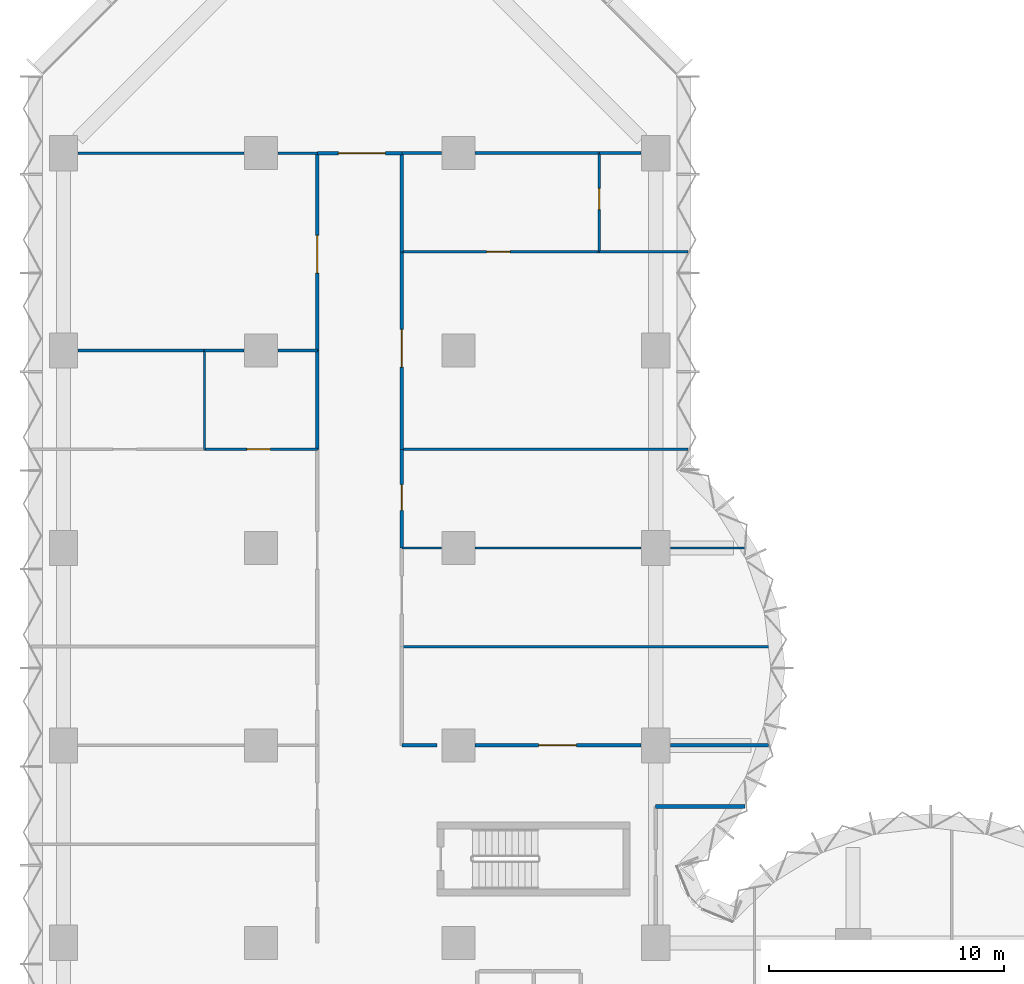
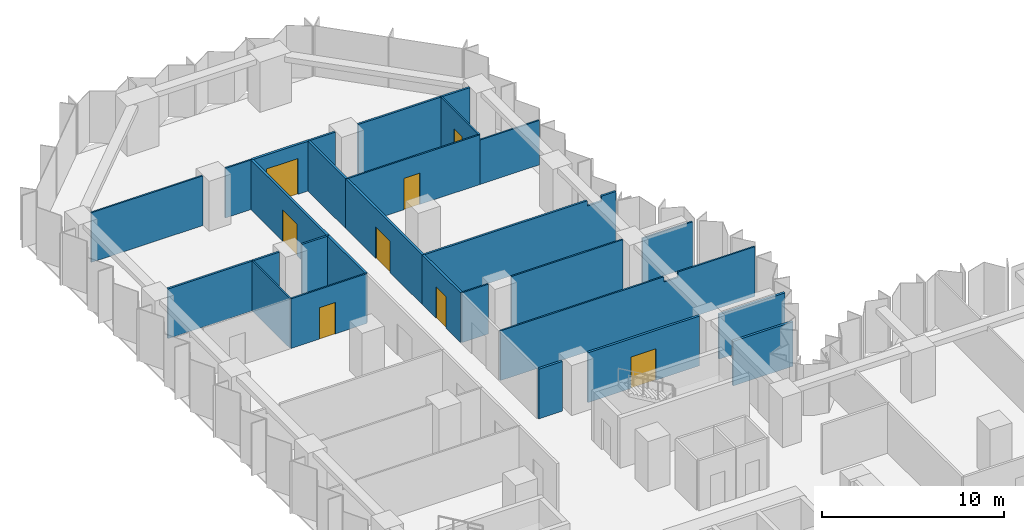
# One storey, part 11 of 15: 28 walls, 8 doors, 8 openings.
"""IFC4 building model written with IfcOpenShell, lengths in metres."""

from ifc_helpers import new_model, si_unit, direction, frame, frame_2d, origin, place, context, subcontext, project, spatial, polyline, rectangle, outline, extrude, material, layer, layer_set, type_object, element, fill, save


model = new_model("IFC4")

# Units and contexts
model_context = context("Model", 3, precision=1e-05, world=origin(), true_north=direction((0.0, 1.0)))
body_context = subcontext(model_context, "Body", "Model", "MODEL_VIEW")
ifc_project = project(units=[si_unit("LENGTHUNIT", "METRE"), si_unit("AREAUNIT", "SQUARE_METRE"), si_unit("VOLUMEUNIT", "CUBIC_METRE"), si_unit("PLANEANGLEUNIT", "RADIAN"), si_unit("MASSUNIT", "GRAM", prefix="KILO")], contexts=[model_context])

# Site, building, storey
site_placement = place(None, origin())
site = spatial("IfcSite", under=ifc_project, at=site_placement, CompositionType="ELEMENT")
building_placement = place(site_placement, origin())
building = spatial("IfcBuilding", under=site, at=building_placement, Name="Brevane Broadcast Tower", CompositionType="ELEMENT")
storey_placement = place(building_placement, frame((0.0, 0.0, 54.5)))
storey = spatial("IfcBuildingStorey", under=building, at=storey_placement, Name="L11", CompositionType="ELEMENT", Elevation=54.5)

# Walls
ifc_material_1 = material(Name="Gypsum board partition")
ifc_layer_1 = layer(ifc_material_1, 0.10009765625)
ifc_layer_set_1 = layer_set([ifc_layer_1], Name="PARTITION 100 STUD")
wall_type_1 = type_object("IfcWallType", Name="PARTITION 100 STUD", PredefinedType="PARTITIONING", material=ifc_layer_set_1)
wall_1_placement = place(storey_placement, frame((10.800048828125, 58.800048828125, 0.0), z_axis=(0.0, 0.0, 1.0), x_axis=(-1.0, 0.0, 0.0)))
element("IfcWall", 1, at=wall_1_placement, inside=storey, type_object=wall_type_1, Name="Partition G02-050", PredefinedType="PARTITIONING", context=body_context, shape_type="SweptSolid", body=[
    extrude(rectangle(XDim=1.679931640625, YDim=0.10009765625, at=frame_2d((0.83984375, 0.0))), origin(), (0.0, 0.0, 1.0), 3.330078125),
])
wall_2_placement = place(storey_placement, frame((7.679931640625, 58.800048828125, 0.0), z_axis=(0.0, 0.0, 1.0), x_axis=(-1.0, 0.0, 0.0)))
element("IfcWall", 2, at=wall_2_placement, inside=storey, type_object=wall_type_1, Name="Partition G02-051", PredefinedType="PARTITIONING", context=body_context, shape_type="SweptSolid", body=[
    extrude(rectangle(XDim=7.059814453125, YDim=0.10009765625, at=frame_2d((3.52978515625, 0.0))), origin(), (0.0, 0.0, 1.0), 3.330078125),
])

# Wall, opening, door
wall_3_placement = place(storey_placement, frame((6.0, 46.199951171875, 0.0), z_axis=(0.0, 0.0, 1.0), x_axis=(1.0, 0.0, 0.0)))
wall_3 = element("IfcWall", 3, at=wall_3_placement, inside=storey, type_object=wall_type_1, Name="Partition G02-060", PredefinedType="PARTITIONING", context=body_context, shape_type="SweptSolid", body=[
    extrude(rectangle(XDim=4.800048828125, YDim=0.10009765625, at=frame_2d((2.39990234375, 0.0))), origin(), (0.0, 0.0, 1.0), 3.330078125),
])
opening_1_placement = place(wall_3_placement, frame((1.800048828125, 0.0, 0.0)))
opening_1 = element("IfcOpeningElement", 4, at=opening_1_placement, cuts=wall_3, Name="Opening D08-021", PredefinedType="OPENING", context=body_context, shape_type="SweptSolid", body=[
    extrude(rectangle(XDim=1.0, YDim=2.10009765625, at=frame_2d((0.5, 1.050048828125))), frame((0.0, 0.06005859375, 0.0), z_axis=(0.0, -1.0, 0.0), x_axis=(1.0, 0.0, 0.0)), (0.0, 0.0, 1.0), 0.1201171875),
])
ifc_material_2 = material(Name="Timber door leaf", Category="wood")
door_type_1 = type_object("IfcDoorType", Name="DOOR SINGLE 1000 INTERNAL", OperationType="SINGLE_SWING_LEFT", PredefinedType="DOOR", material=ifc_material_2)
door_1_placement = place(opening_1_placement, origin())
door_1 = element("IfcDoor", 5, at=door_1_placement, inside=storey, type_object=door_type_1, Name="Door D08-021", OperationType="SINGLE_SWING_LEFT", OverallHeight=2.10009765625, OverallWidth=1.0, PredefinedType="DOOR", context=body_context, shape_type="SweptSolid", body=[
    extrude(rectangle(XDim=1.0, YDim=2.10009765625, at=frame_2d((0.5, 1.050048828125))), frame((0.0, 0.02490234375, 0.0), z_axis=(0.0, -1.0, 0.0), x_axis=(1.0, 0.0, 0.0)), (0.0, 0.0, 1.0), 0.050048828125),
])
fill(opening_1, door_1)

# Walls
wall_4_placement = place(storey_placement, frame((6.0, 50.39990234375, 0.0), z_axis=(0.0, 0.0, 1.0), x_axis=(0.0, -1.0, 0.0)))
element("IfcWall", 6, at=wall_4_placement, inside=storey, type_object=wall_type_1, Name="Partition G02-061", PredefinedType="PARTITIONING", context=body_context, shape_type="SweptSolid", body=[
    extrude(rectangle(XDim=4.199951171875, YDim=0.10009765625, at=frame_2d((2.10009765625, 0.0))), origin(), (0.0, 0.0, 1.0), 3.330078125),
])
wall_5_placement = place(storey_placement, frame((14.39990234375, 37.800048828125, 0.0), z_axis=(0.0, 0.0, 1.0), x_axis=(1.0, 0.0, 0.0)))
element("IfcWall", 7, at=wall_5_placement, inside=storey, type_object=wall_type_1, Name="Partition G02-065", PredefinedType="PARTITIONING", context=body_context, shape_type="SweptSolid", body=[
    extrude(outline(polyline([(0.0, 0.0), (16.1259765625, 0.0), (16.1259765625, 3.330078125), (15.8427734375, 3.330078125), (11.25, 3.330078125), (11.248046875, 2.97998046875), (10.35205078125, 2.97998046875), (10.35009765625, 3.330078125), (0.0, 3.330078125), (0.0, 0.0)])), frame((0.0, 0.050048828125, 0.0), z_axis=(0.0, -1.0, 0.0), x_axis=(1.0, 0.0, 0.0)), (0.0, 0.0, 1.0), 0.10009765625),
])
wall_6_placement = place(storey_placement, frame((14.39990234375, 42.0, 0.0), z_axis=(0.0, 0.0, 1.0), x_axis=(1.0, 0.0, 0.0)))
element("IfcWall", 8, at=wall_6_placement, inside=storey, type_object=wall_type_1, Name="Partition G02-066", PredefinedType="PARTITIONING", context=body_context, shape_type="SweptSolid", body=[
    extrude(rectangle(XDim=1.68017578125, YDim=0.10009765625, at=frame_2d((0.840087890625, 0.0))), origin(), (0.0, 0.0, 1.0), 3.330078125),
])
wall_7_placement = place(storey_placement, frame((17.52001953125, 42.0, 0.0), z_axis=(0.0, 0.0, 1.0), x_axis=(1.0, 0.0, 0.0)))
element("IfcWall", 9, at=wall_7_placement, inside=storey, type_object=wall_type_1, Name="Partition G02-067", PredefinedType="PARTITIONING", context=body_context, shape_type="SweptSolid", body=[
    extrude(rectangle(XDim=7.06005859375, YDim=0.10009765625, at=frame_2d((3.530029296875, 0.0))), origin(), (0.0, 0.0, 1.0), 3.330078125),
])
wall_8_placement = place(storey_placement, frame((25.820068359375, 42.0, 0.0), z_axis=(0.0, 0.0, 1.0), x_axis=(1.0, 0.0, 0.0)))
element("IfcWall", 10, at=wall_8_placement, inside=storey, type_object=wall_type_1, Name="Partition G02-068", PredefinedType="PARTITIONING", context=body_context, shape_type="SweptSolid", body=[
    extrude(rectangle(XDim=3.19140625, YDim=0.10009765625, at=frame_2d((1.595703125, 0.0))), origin(), (0.0, 0.0, 1.0), 2.97998046875),
])

# Wall, opening, door
wall_9_placement = place(storey_placement, frame((14.39990234375, 54.60009765625, 0.0), z_axis=(0.0, 0.0, 1.0), x_axis=(1.0, 0.0, 0.0)))
wall_9 = element("IfcWall", 11, at=wall_9_placement, inside=storey, type_object=wall_type_1, Name="Partition G02-070", PredefinedType="PARTITIONING", context=body_context, shape_type="SweptSolid", body=[
    extrude(rectangle(XDim=8.400146484375, YDim=0.10009765625, at=frame_2d((4.2001953125, 0.0))), origin(), (0.0, 0.0, 1.0), 3.330078125),
])
opening_2_placement = place(wall_9_placement, frame((3.60009765625, 0.0, 0.0)))
opening_2 = element("IfcOpeningElement", 12, at=opening_2_placement, cuts=wall_9, Name="Opening D08-027", PredefinedType="OPENING", context=body_context, shape_type="SweptSolid", body=[
    extrude(rectangle(XDim=1.0, YDim=2.10009765625, at=frame_2d((0.5, 1.050048828125))), frame((0.0, 0.06005859375, 0.0), z_axis=(0.0, -1.0, 0.0), x_axis=(1.0, 0.0, 0.0)), (0.0, 0.0, 1.0), 0.1201171875),
])
door_2_placement = place(opening_2_placement, origin())
door_2 = element("IfcDoor", 13, at=door_2_placement, inside=storey, type_object=door_type_1, Name="Door D08-027", OperationType="SINGLE_SWING_LEFT", OverallHeight=2.10009765625, OverallWidth=1.0, PredefinedType="DOOR", context=body_context, shape_type="SweptSolid", body=[
    extrude(rectangle(XDim=1.0, YDim=2.10009765625, at=frame_2d((0.5, 1.050048828125))), frame((0.0, 0.02490234375, 0.0), z_axis=(0.0, -1.0, 0.0), x_axis=(1.0, 0.0, 0.0)), (0.0, 0.0, 1.0), 0.050048828125),
])
fill(opening_2, door_2)

# Wall
wall_10_placement = place(storey_placement, frame((22.800048828125, 54.60009765625, 0.0), z_axis=(0.0, 0.0, 1.0), x_axis=(1.0, 0.0, 0.0)))
element("IfcWall", 14, at=wall_10_placement, inside=storey, type_object=wall_type_1, Name="Partition G02-071", PredefinedType="PARTITIONING", context=body_context, shape_type="SweptSolid", body=[
    extrude(rectangle(XDim=3.764892578125, YDim=0.10009765625, at=frame_2d((1.88232421875, 0.0))), origin(), (0.0, 0.0, 1.0), 2.97998046875),
])

# Wall, opening, door
wall_11_placement = place(storey_placement, frame((22.800048828125, 58.800048828125, 0.0), z_axis=(0.0, 0.0, 1.0), x_axis=(0.0, -1.0, 0.0)))
wall_11 = element("IfcWall", 15, at=wall_11_placement, inside=storey, type_object=wall_type_1, Name="Partition G02-072", PredefinedType="PARTITIONING", context=body_context, shape_type="SweptSolid", body=[
    extrude(rectangle(XDim=4.199951171875, YDim=0.10009765625, at=frame_2d((2.10009765625, 0.0))), origin(), (0.0, 0.0, 1.0), 3.330078125),
])
opening_3_placement = place(wall_11_placement, frame((1.5, 0.0, 0.0)))
opening_3 = element("IfcOpeningElement", 16, at=opening_3_placement, cuts=wall_11, Name="Opening D08-028", PredefinedType="OPENING", context=body_context, shape_type="SweptSolid", body=[
    extrude(rectangle(XDim=0.89990234375, YDim=2.10009765625, at=frame_2d((0.449951171875, 1.050048828125))), frame((0.0, 0.06005859375, 0.0), z_axis=(0.0, -1.0, 0.0), x_axis=(1.0, 0.0, 0.0)), (0.0, 0.0, 1.0), 0.1201171875),
])
door_type_2 = type_object("IfcDoorType", Name="DOOR SINGLE 900 INTERNAL", OperationType="SINGLE_SWING_LEFT", PredefinedType="DOOR", material=ifc_material_2)
door_3_placement = place(opening_3_placement, origin())
door_3 = element("IfcDoor", 17, at=door_3_placement, inside=storey, type_object=door_type_2, Name="Door D08-028", OperationType="SINGLE_SWING_LEFT", OverallHeight=2.10009765625, OverallWidth=0.89990234375, PredefinedType="DOOR", context=body_context, shape_type="SweptSolid", body=[
    extrude(rectangle(XDim=0.89990234375, YDim=2.10009765625, at=frame_2d((0.449951171875, 1.050048828125))), frame((0.0, 0.02490234375, 0.0), z_axis=(0.0, -1.0, 0.0), x_axis=(1.0, 0.0, 0.0)), (0.0, 0.0, 1.0), 0.050048828125),
])
fill(opening_3, door_3)

# Walls
ifc_layer_2 = layer(ifc_material_1, 0.125)
ifc_layer_set_2 = layer_set([ifc_layer_2], Name="PARTITION 125 ACOUSTIC")
wall_type_2 = type_object("IfcWallType", Name="PARTITION 125 ACOUSTIC", PredefinedType="PARTITIONING", material=ifc_layer_set_2)
wall_12_placement = place(storey_placement, frame((22.800048828125, 58.800048828125, 0.0), z_axis=(0.0, 0.0, 1.0), x_axis=(-1.0, 0.0, 0.0)))
element("IfcWall", 18, at=wall_12_placement, inside=storey, type_object=wall_type_2, Name="Partition G02-052", PredefinedType="PARTITIONING", context=body_context, shape_type="SweptSolid", body=[
    extrude(rectangle(XDim=5.280029296875, YDim=0.125, at=frame_2d((2.64013671875, 0.0))), origin(), (0.0, 0.0, 1.0), 3.330078125),
])
wall_13_placement = place(storey_placement, frame((16.080078125, 58.800048828125, 0.0), z_axis=(0.0, 0.0, 1.0), x_axis=(-1.0, 0.0, 0.0)))
element("IfcWall", 19, at=wall_13_placement, inside=storey, type_object=wall_type_2, Name="Partition G02-053", PredefinedType="PARTITIONING", context=body_context, shape_type="SweptSolid", body=[
    extrude(rectangle(XDim=1.68017578125, YDim=0.125, at=frame_2d((0.840087890625, 0.0))), origin(), (0.0, 0.0, 1.0), 3.330078125),
])
wall_14_placement = place(storey_placement, frame((24.580078125, 58.800048828125, 0.0), z_axis=(0.0, 0.0, 1.0), x_axis=(-1.0, 0.0, 0.0)))
element("IfcWall", 20, at=wall_14_placement, inside=storey, type_object=wall_type_2, Name="Partition G02-054", PredefinedType="PARTITIONING", context=body_context, shape_type="SweptSolid", body=[
    extrude(rectangle(XDim=1.780029296875, YDim=0.125, at=frame_2d((0.89013671875, 0.0))), origin(), (0.0, 0.0, 1.0), 3.330078125),
])
wall_15_placement = place(storey_placement, frame((0.6201171875, 50.39990234375, 0.0), z_axis=(0.0, 0.0, 1.0), x_axis=(1.0, 0.0, 0.0)))
element("IfcWall", 21, at=wall_15_placement, inside=storey, type_object=wall_type_2, Name="Partition G02-062", PredefinedType="PARTITIONING", context=body_context, shape_type="SweptSolid", body=[
    extrude(rectangle(XDim=5.3798828125, YDim=0.125, at=frame_2d((2.68994140625, 0.0))), origin(), (0.0, 0.0, 1.0), 3.330078125),
])
for number, where, z_axis, x_axis, name in (
    (22, (6.0, 50.39990234375, 0.0), (0.0, 0.0, 1.0), (1.0, 0.0, 0.0), "Partition G02-063"),
    (23, (9.1201171875, 50.39990234375, 0.0), (0.0, 0.0, 1.0), (1.0, 0.0, 0.0), "Partition G02-064"),
):
    element("IfcWall", number, at=place(storey_placement, frame(where, z_axis=z_axis, x_axis=x_axis)), inside=storey, type_object=wall_type_2, Name=name, PredefinedType="PARTITIONING", context=body_context, shape_type="SweptSolid", body=[
        extrude(rectangle(XDim=1.679931640625, YDim=0.125, at=frame_2d((0.83984375, 0.0))), origin(), (0.0, 0.0, 1.0), 3.330078125),
    ])
wall_16_placement = place(storey_placement, frame((14.39990234375, 46.199951171875, 0.0), z_axis=(0.0, 0.0, 1.0), x_axis=(1.0, 0.0, 0.0)))
element("IfcWall", 24, at=wall_16_placement, inside=storey, type_object=wall_type_2, Name="Partition G02-069", PredefinedType="PARTITIONING", context=body_context, shape_type="SweptSolid", body=[
    extrude(outline(polyline([(0.0, 0.0), (12.1650390625, 0.0), (12.1650390625, 3.330078125), (11.89990234375, 3.330078125), (11.25, 3.330078125), (11.248046875, 2.97998046875), (10.35205078125, 2.97998046875), (10.35009765625, 3.330078125), (0.0, 3.330078125), (0.0, 0.0)])), frame((0.0, 0.0625, 0.0), z_axis=(0.0, -1.0, 0.0), x_axis=(1.0, 0.0, 0.0)), (0.0, 0.0, 1.0), 0.125),
])
ifc_layer_3 = layer(ifc_material_1, 0.14990234375)
ifc_layer_set_3 = layer_set([ifc_layer_3], Name="PARTITION 150 EI 60")
wall_type_3 = type_object("IfcWallType", Name="PARTITION 150 EI 60", PredefinedType="PARTITIONING", material=ifc_layer_set_3)
wall_17_placement = place(storey_placement, frame((25.199951171875, 31.0, 0.0), z_axis=(0.0, 0.0, 1.0), x_axis=(1.0, 0.0, 0.0)))
element("IfcWall", 25, at=wall_17_placement, inside=storey, type_object=wall_type_3, Name="Partition G02-006", PredefinedType="PARTITIONING", context=body_context, shape_type="SweptSolid", body=[
    extrude(rectangle(XDim=3.80615234375, YDim=0.14990234375, at=frame_2d((1.903076171875, 0.0))), origin(), (0.0, 0.0, 1.0), 2.97998046875),
])
wall_18_placement = place(storey_placement, frame((14.39990234375, 33.60009765625, 0.0), z_axis=(0.0, 0.0, 1.0), x_axis=(1.0, 0.0, 0.0)))
element("IfcWall", 26, at=wall_18_placement, inside=storey, type_object=wall_type_3, Name="Partition G02-037", PredefinedType="PARTITIONING", context=body_context, shape_type="SweptSolid", body=[
    extrude(rectangle(XDim=1.5, YDim=0.14990234375, at=frame_2d((0.75, 0.0))), origin(), (0.0, 0.0, 1.0), 3.330078125),
])

# Wall, opening, door
wall_19_placement = place(storey_placement, frame((17.52001953125, 33.60009765625, 0.0), z_axis=(0.0, 0.0, 1.0), x_axis=(1.0, 0.0, 0.0)))
wall_19 = element("IfcWall", 27, at=wall_19_placement, inside=storey, type_object=wall_type_3, Name="Partition G02-038", PredefinedType="PARTITIONING", context=body_context, shape_type="SweptSolid", body=[
    extrude(rectangle(XDim=7.06005859375, YDim=0.14990234375, at=frame_2d((3.530029296875, 0.0))), origin(), (0.0, 0.0, 1.0), 3.330078125),
])
opening_4_placement = place(wall_19_placement, frame((2.699951171875, 0.0, 0.0)))
opening_4 = element("IfcOpeningElement", 28, at=opening_4_placement, cuts=wall_19, Name="Opening D08-023", PredefinedType="OPENING", context=body_context, shape_type="SweptSolid", body=[
    extrude(rectangle(XDim=1.60009765625, YDim=2.10009765625, at=frame_2d((0.800048828125, 1.050048828125))), frame((0.0, 0.0849609375, 0.0), z_axis=(0.0, -1.0, 0.0), x_axis=(1.0, 0.0, 0.0)), (0.0, 0.0, 1.0), 0.169921875),
])
ifc_material_3 = material(Name="Fire-rated timber door leaf", Category="wood")
door_type_3 = type_object("IfcDoorType", Name="DOOR DOUBLE 1600 FD30S", OperationType="DOUBLE_DOOR_SINGLE_SWING", PredefinedType="DOOR", material=ifc_material_3)
door_4_placement = place(opening_4_placement, origin())
door_4 = element("IfcDoor", 29, at=door_4_placement, inside=storey, type_object=door_type_3, Name="Door D08-023", OperationType="DOUBLE_DOOR_SINGLE_SWING", OverallHeight=2.10009765625, OverallWidth=1.60009765625, PredefinedType="DOOR", context=body_context, shape_type="SweptSolid", body=[
    extrude(rectangle(XDim=1.60009765625, YDim=2.10009765625, at=frame_2d((0.800048828125, 1.050048828125))), frame((0.0, 0.02490234375, 0.0), z_axis=(0.0, -1.0, 0.0), x_axis=(1.0, 0.0, 0.0)), (0.0, 0.0, 1.0), 0.050048828125),
])
fill(opening_4, door_4)

# Wall
wall_20_placement = place(storey_placement, frame((25.820068359375, 33.60009765625, 0.0), z_axis=(0.0, 0.0, 1.0), x_axis=(1.0, 0.0, 0.0)))
element("IfcWall", 30, at=wall_20_placement, inside=storey, type_object=wall_type_3, Name="Partition G02-039", PredefinedType="PARTITIONING", context=body_context, shape_type="SweptSolid", body=[
    extrude(rectangle(XDim=4.168212890625, YDim=0.14990234375, at=frame_2d((2.083984375, 0.0))), origin(), (0.0, 0.0, 1.0), 2.97998046875),
])

# Wall, opening, door
wall_21_placement = place(storey_placement, frame((10.800048828125, 58.800048828125, 0.0), z_axis=(0.0, 0.0, 1.0), x_axis=(1.0, 0.0, 0.0)))
wall_21 = element("IfcWall", 31, at=wall_21_placement, inside=storey, type_object=wall_type_3, Name="Partition G02-040", PredefinedType="PARTITIONING", context=body_context, shape_type="SweptSolid", body=[
    extrude(rectangle(XDim=3.599853515625, YDim=0.14990234375, at=frame_2d((1.7998046875, 0.0))), origin(), (0.0, 0.0, 1.0), 3.330078125),
])
opening_5_placement = place(wall_21_placement, frame((0.89990234375, 0.0, 0.0)))
opening_5 = element("IfcOpeningElement", 32, at=opening_5_placement, cuts=wall_21, Name="Opening D08-015", PredefinedType="OPENING", context=body_context, shape_type="SweptSolid", body=[
    extrude(rectangle(XDim=2.0, YDim=2.39990234375, at=frame_2d((1.0, 1.199951171875))), frame((0.0, 0.0849609375, 0.0), z_axis=(0.0, -1.0, 0.0), x_axis=(1.0, 0.0, 0.0)), (0.0, 0.0, 1.0), 0.169921875),
])
door_type_4 = type_object("IfcDoorType", Name="DOOR DOUBLE 2000 FD30S", OperationType="DOUBLE_DOOR_SINGLE_SWING", PredefinedType="DOOR", material=ifc_material_3)
door_5_placement = place(opening_5_placement, origin())
door_5 = element("IfcDoor", 33, at=door_5_placement, inside=storey, type_object=door_type_4, Name="Door D08-015", OperationType="DOUBLE_DOOR_SINGLE_SWING", OverallHeight=2.39990234375, OverallWidth=2.0, PredefinedType="DOOR", context=body_context, shape_type="SweptSolid", body=[
    extrude(rectangle(XDim=2.0, YDim=2.39990234375, at=frame_2d((1.0, 1.199951171875))), frame((0.0, 0.02490234375, 0.0), z_axis=(0.0, -1.0, 0.0), x_axis=(1.0, 0.0, 0.0)), (0.0, 0.0, 1.0), 0.050048828125),
])
fill(opening_5, door_5)

# Wall
wall_22_placement = place(storey_placement, frame((10.800048828125, 46.199951171875, 0.0), z_axis=(0.0, 0.0, 1.0), x_axis=(0.0, 1.0, 0.0)))
element("IfcWall", 34, at=wall_22_placement, inside=storey, type_object=wall_type_3, Name="Partition G02-043", PredefinedType="PARTITIONING", context=body_context, shape_type="SweptSolid", body=[
    extrude(rectangle(XDim=4.199951171875, YDim=0.14990234375, at=frame_2d((2.10009765625, 0.0))), origin(), (0.0, 0.0, 1.0), 3.330078125),
])

# Wall, opening, door
wall_23_placement = place(storey_placement, frame((10.800048828125, 50.39990234375, 0.0), z_axis=(0.0, 0.0, 1.0), x_axis=(0.0, 1.0, 0.0)))
wall_23 = element("IfcWall", 35, at=wall_23_placement, inside=storey, type_object=wall_type_3, Name="Partition G02-044", PredefinedType="PARTITIONING", context=body_context, shape_type="SweptSolid", body=[
    extrude(rectangle(XDim=8.400146484375, YDim=0.14990234375, at=frame_2d((4.2001953125, 0.0))), origin(), (0.0, 0.0, 1.0), 3.330078125),
])
opening_6_placement = place(wall_23_placement, frame((3.300048828125, 0.0, 0.0)))
opening_6 = element("IfcOpeningElement", 36, at=opening_6_placement, cuts=wall_23, Name="Opening D08-022", PredefinedType="OPENING", context=body_context, shape_type="SweptSolid", body=[
    extrude(rectangle(XDim=1.60009765625, YDim=2.10009765625, at=frame_2d((0.800048828125, 1.050048828125))), frame((0.0, 0.0849609375, 0.0), z_axis=(0.0, -1.0, 0.0), x_axis=(1.0, 0.0, 0.0)), (0.0, 0.0, 1.0), 0.169921875),
])
door_6_placement = place(opening_6_placement, origin())
door_6 = element("IfcDoor", 37, at=door_6_placement, inside=storey, type_object=door_type_3, Name="Door D08-022", OperationType="DOUBLE_DOOR_SINGLE_SWING", OverallHeight=2.10009765625, OverallWidth=1.60009765625, PredefinedType="DOOR", context=body_context, shape_type="SweptSolid", body=[
    extrude(rectangle(XDim=1.60009765625, YDim=2.10009765625, at=frame_2d((0.800048828125, 1.050048828125))), frame((0.0, 0.02490234375, 0.0), z_axis=(0.0, -1.0, 0.0), x_axis=(1.0, 0.0, 0.0)), (0.0, 0.0, 1.0), 0.050048828125),
])
fill(opening_6, door_6)

wall_24_placement = place(storey_placement, frame((14.39990234375, 46.199951171875, 0.0), z_axis=(0.0, 0.0, 1.0), x_axis=(0.0, -1.0, 0.0)))
wall_24 = element("IfcWall", 38, at=wall_24_placement, inside=storey, type_object=wall_type_3, Name="Partition G02-047", PredefinedType="PARTITIONING", context=body_context, shape_type="SweptSolid", body=[
    extrude(rectangle(XDim=4.199951171875, YDim=0.14990234375, at=frame_2d((2.10009765625, 0.0))), origin(), (0.0, 0.0, 1.0), 3.330078125),
])
opening_7_placement = place(wall_24_placement, frame((1.5, 0.0, 0.0)))
opening_7 = element("IfcOpeningElement", 39, at=opening_7_placement, cuts=wall_24, Name="Opening D08-025", PredefinedType="OPENING", context=body_context, shape_type="SweptSolid", body=[
    extrude(rectangle(XDim=1.10009765625, YDim=2.10009765625, at=frame_2d((0.550048828125, 1.050048828125))), frame((0.0, 0.0849609375, 0.0), z_axis=(0.0, -1.0, 0.0), x_axis=(1.0, 0.0, 0.0)), (0.0, 0.0, 1.0), 0.169921875),
])
door_type_5 = type_object("IfcDoorType", Name="DOOR SINGLE 1100 FD30S", OperationType="SINGLE_SWING_LEFT", PredefinedType="DOOR", material=ifc_material_3)
door_7_placement = place(opening_7_placement, origin())
door_7 = element("IfcDoor", 40, at=door_7_placement, inside=storey, type_object=door_type_5, Name="Door D08-025", OperationType="SINGLE_SWING_LEFT", OverallHeight=2.10009765625, OverallWidth=1.10009765625, PredefinedType="DOOR", context=body_context, shape_type="SweptSolid", body=[
    extrude(rectangle(XDim=1.10009765625, YDim=2.10009765625, at=frame_2d((0.550048828125, 1.050048828125))), frame((0.0, 0.02490234375, 0.0), z_axis=(0.0, -1.0, 0.0), x_axis=(1.0, 0.0, 0.0)), (0.0, 0.0, 1.0), 0.050048828125),
])
fill(opening_7, door_7)

wall_25_placement = place(storey_placement, frame((14.39990234375, 54.60009765625, 0.0), z_axis=(0.0, 0.0, 1.0), x_axis=(0.0, -1.0, 0.0)))
wall_25 = element("IfcWall", 41, at=wall_25_placement, inside=storey, type_object=wall_type_3, Name="Partition G02-048", PredefinedType="PARTITIONING", context=body_context, shape_type="SweptSolid", body=[
    extrude(rectangle(XDim=8.400146484375, YDim=0.14990234375, at=frame_2d((4.2001953125, 0.0))), origin(), (0.0, 0.0, 1.0), 3.330078125),
])
opening_8_placement = place(wall_25_placement, frame((3.300048828125, 0.0, 0.0)))
opening_8 = element("IfcOpeningElement", 42, at=opening_8_placement, cuts=wall_25, Name="Opening D08-026", PredefinedType="OPENING", context=body_context, shape_type="SweptSolid", body=[
    extrude(rectangle(XDim=1.60009765625, YDim=2.10009765625, at=frame_2d((0.800048828125, 1.050048828125))), frame((0.0, 0.0849609375, 0.0), z_axis=(0.0, -1.0, 0.0), x_axis=(1.0, 0.0, 0.0)), (0.0, 0.0, 1.0), 0.169921875),
])
door_8_placement = place(opening_8_placement, origin())
door_8 = element("IfcDoor", 43, at=door_8_placement, inside=storey, type_object=door_type_3, Name="Door D08-026", OperationType="DOUBLE_DOOR_SINGLE_SWING", OverallHeight=2.10009765625, OverallWidth=1.60009765625, PredefinedType="DOOR", context=body_context, shape_type="SweptSolid", body=[
    extrude(rectangle(XDim=1.60009765625, YDim=2.10009765625, at=frame_2d((0.800048828125, 1.050048828125))), frame((0.0, 0.02490234375, 0.0), z_axis=(0.0, -1.0, 0.0), x_axis=(1.0, 0.0, 0.0)), (0.0, 0.0, 1.0), 0.050048828125),
])
fill(opening_8, door_8)

# Wall
wall_26_placement = place(storey_placement, frame((14.39990234375, 58.800048828125, 0.0), z_axis=(0.0, 0.0, 1.0), x_axis=(0.0, -1.0, 0.0)))
element("IfcWall", 44, at=wall_26_placement, inside=storey, type_object=wall_type_3, Name="Partition G02-049", PredefinedType="PARTITIONING", context=body_context, shape_type="SweptSolid", body=[
    extrude(rectangle(XDim=4.199951171875, YDim=0.14990234375, at=frame_2d((2.10009765625, 0.0))), origin(), (0.0, 0.0, 1.0), 3.330078125),
])

save(model, "model.ifc")
